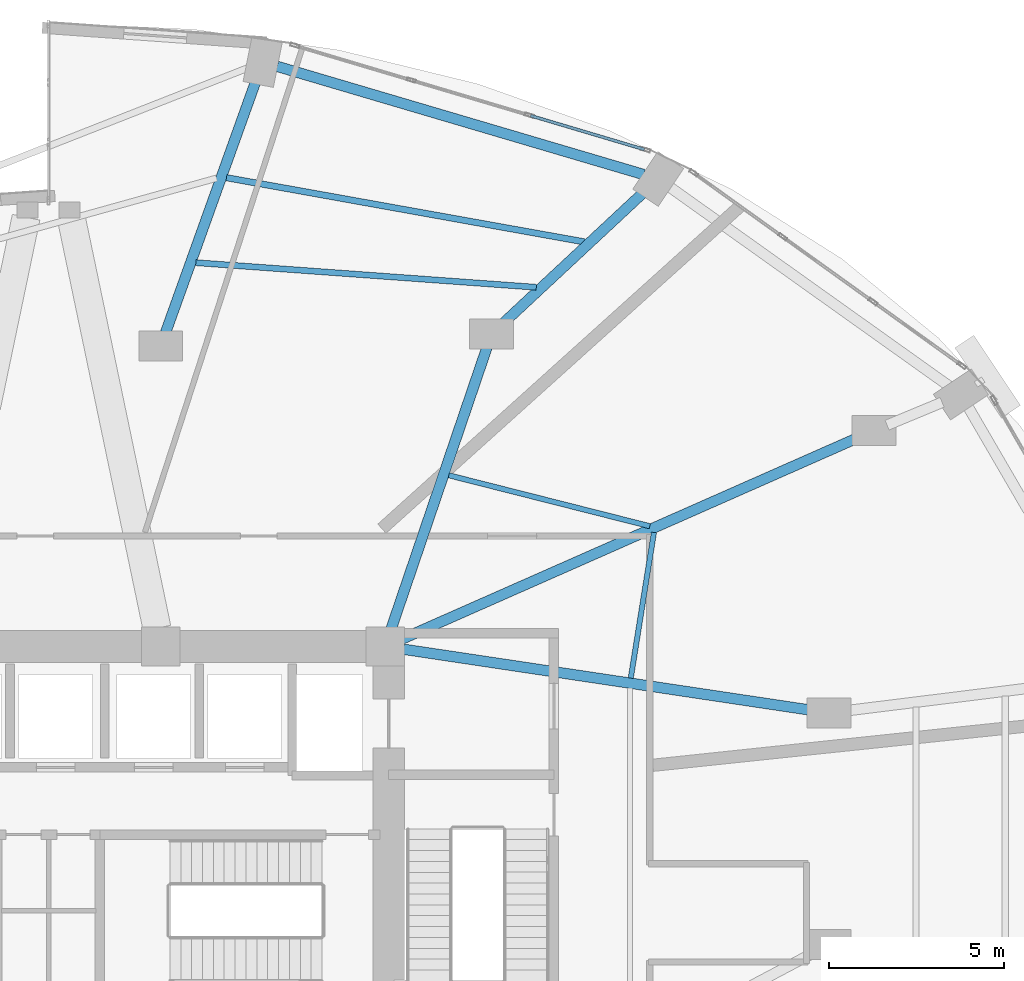
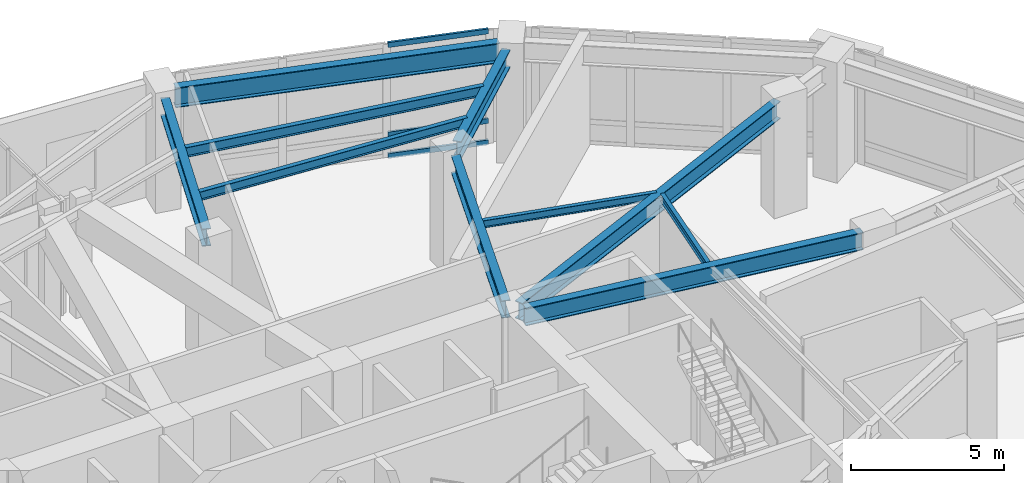
# One storey, part 16 of 24: 10 beams, 3 members, 1 element without a shape of its own.
"""IFC4 building model written with IfcOpenShell, lengths in metres."""

from ifc_helpers import new_model, si_unit, direction, frame, origin, origin_2d, place, context, subcontext, project, spatial, hollow_rectangle, i_section, extrude, material, layer, layer_set, material_profile, profile_set, type_object, element, aggregate, save


model = new_model("IFC4")

# Units and contexts
model_context = context("Model", 3, precision=1e-05, world=origin(), true_north=direction((0.0, 1.0)))
body_context = subcontext(model_context, "Body", "Model", "MODEL_VIEW")
ifc_project = project(units=[si_unit("LENGTHUNIT", "METRE"), si_unit("AREAUNIT", "SQUARE_METRE"), si_unit("VOLUMEUNIT", "CUBIC_METRE"), si_unit("PLANEANGLEUNIT", "RADIAN"), si_unit("MASSUNIT", "GRAM", prefix="KILO")], contexts=[model_context])

# Site, building, storey
site_placement = place(None, origin())
site = spatial("IfcSite", under=ifc_project, at=site_placement, CompositionType="ELEMENT")
building_placement = place(site_placement, origin())
building = spatial("IfcBuilding", under=site, at=building_placement, Name="Lazwardi Medical Tower", CompositionType="ELEMENT")
storey_placement = place(building_placement, frame((0.0, 0.0, 10.800048828125)))
storey = spatial("IfcBuildingStorey", under=building, at=storey_placement, Name="L02", CompositionType="ELEMENT", Elevation=10.800048828125)

# Beams
ifc_material_1 = material(Name="Steel S355", Category="steel")
ifc_material_profile_1 = material_profile(ifc_material_1, i_section(OverallWidth=0.300048828125, OverallDepth=0.800048828125, WebThickness=0.017578125, FlangeThickness=0.032958984375, at=origin_2d()), Name="HEB 800")
ifc_profile_set_1 = profile_set([ifc_material_profile_1], Name="Steel S355")
beam_type_1 = type_object("IfcBeamType", Name="BM-RB-P1", PredefinedType="BEAM", material=ifc_profile_set_1)
beam_1_placement = place(storey_placement, frame((52.976806640625, 49.0634765625, 4.119873046875), z_axis=(-0.959103395471, 0.283055960537, 0.0), x_axis=(-0.283055960537, -0.959103395471, 0.0)))
element("IfcBeam", 1, at=beam_1_placement, inside=storey, type_object=beam_type_1, Name="Ring beam RB-01 B07 L02", PredefinedType="BEAM", context=body_context, shape_type="SweptSolid", body=[
    extrude(i_section(OverallWidth=0.300048828125, OverallDepth=0.800048828125, WebThickness=0.017578125, FlangeThickness=0.032958984375, at=origin_2d()), origin(), (0.0, 0.0, 1.0), 10.904052734375),
])
ifc_material_profile_2 = material_profile(ifc_material_1, i_section(OverallWidth=0.300048828125, OverallDepth=0.699951171875, WebThickness=0.01708984375, FlangeThickness=0.031982421875, at=origin_2d()), Name="HEB 700")
ifc_profile_set_2 = profile_set([ifc_material_profile_2], Name="Steel S355")
beam_type_2 = type_object("IfcBeamType", Name="BM-RG-P1", PredefinedType="BEAM", material=ifc_profile_set_2)
beam_2_placement = place(storey_placement, frame((57.867431640625, 33.76513671875, 4.169921875), z_axis=(-0.988996622553, 0.147938097117, 0.0), x_axis=(-0.147938097117, -0.988996622553, 0.0)))
element("IfcBeam", 2, at=beam_2_placement, inside=storey, type_object=beam_type_2, Name="Radial girder RG-01 R05B L02", PredefinedType="BEAM", context=body_context, shape_type="SweptSolid", body=[
    extrude(i_section(OverallWidth=0.300048828125, OverallDepth=0.699951171875, WebThickness=0.01708984375, FlangeThickness=0.031982421875, at=origin_2d()), origin(), (0.0, 0.0, 1.0), 11.868896484375),
])
beam_3_placement = place(storey_placement, frame((59.18408203125, 41.598388671875, 4.169921875), z_axis=(-0.914785112543, -0.403940834616, 0.0), x_axis=(0.403940834616, -0.914785112543, 0.0)))
element("IfcBeam", 3, at=beam_3_placement, inside=storey, type_object=beam_type_2, Name="Radial girder RG-01 R06B L02", PredefinedType="BEAM", context=body_context, shape_type="SweptSolid", body=[
    extrude(i_section(OverallWidth=0.300048828125, OverallDepth=0.699951171875, WebThickness=0.01708984375, FlangeThickness=0.031982421875, at=origin_2d()), origin(), (0.0, 0.0, 1.0), 14.314453125),
])
beam_4_placement = place(storey_placement, frame((52.965087890625, 48.54638671875, 4.169921875), z_axis=(-0.731566851874, -0.681769712761, 0.0), x_axis=(0.681769712761, -0.731566851874, 0.0)))
element("IfcBeam", 4, at=beam_4_placement, inside=storey, type_object=beam_type_2, Name="Radial girder RG-01 R07A L02", PredefinedType="BEAM", context=body_context, shape_type="SweptSolid", body=[
    extrude(i_section(OverallWidth=0.300048828125, OverallDepth=0.699951171875, WebThickness=0.01708984375, FlangeThickness=0.031982421875, at=origin_2d()), origin(), (0.0, 0.0, 1.0), 5.5205078125),
])
beam_5_placement = place(storey_placement, frame((48.505126953125, 44.13134765625, 4.169921875), z_axis=(-0.322346711858, -0.946621675937, 0.0), x_axis=(0.946621675937, -0.322346711858, 0.0)))
element("IfcBeam", 5, at=beam_5_placement, inside=storey, type_object=beam_type_2, Name="Radial girder RG-01 R07B L02", PredefinedType="BEAM", context=body_context, shape_type="SweptSolid", body=[
    extrude(i_section(OverallWidth=0.300048828125, OverallDepth=0.699951171875, WebThickness=0.01708984375, FlangeThickness=0.031982421875, at=origin_2d()), origin(), (0.0, 0.0, 1.0), 8.477294921875),
])
beam_6_placement = place(storey_placement, frame((41.910400390625, 51.7255859375, 4.169921875), z_axis=(-0.337851658054, -0.941199371627, 0.0), x_axis=(0.941199371627, -0.337851658054, 0.0)))
element("IfcBeam", 6, at=beam_6_placement, inside=storey, type_object=beam_type_2, Name="Radial girder RG-01 R08A L02", PredefinedType="BEAM", context=body_context, shape_type="SweptSolid", body=[
    extrude(i_section(OverallWidth=0.300048828125, OverallDepth=0.699951171875, WebThickness=0.01708984375, FlangeThickness=0.031982421875, at=origin_2d()), origin(), (0.0, 0.0, 1.0), 7.622314453125),
])
ifc_material_profile_3 = material_profile(ifc_material_1, i_section(OverallWidth=0.179931640625, OverallDepth=0.39990234375, WebThickness=0.008544921875, FlangeThickness=0.013427734375, at=origin_2d()), Name="IPE 400")
ifc_profile_set_3 = profile_set([ifc_material_profile_3], Name="Steel S355")
beam_type_3 = type_object("IfcBeamType", Name="BM-SJ-01", PredefinedType="JOIST", material=ifc_profile_set_3)
beam_7_placement = place(storey_placement, frame((51.28759765625, 47.141845703125, 4.320068359375), z_axis=(-0.984289560311, 0.176561778036, 0.0), x_axis=(-0.176561778036, -0.984289560311, 0.0)))
element("IfcBeam", 7, at=beam_7_placement, inside=storey, type_object=beam_type_3, Name="Secondary joist SJ-01 RO1 B07 L02", PredefinedType="JOIST", context=body_context, shape_type="SweptSolid", body=[
    extrude(i_section(OverallWidth=0.179931640625, OverallDepth=0.39990234375, WebThickness=0.008544921875, FlangeThickness=0.013427734375, at=origin_2d()), origin(), (0.0, 0.0, 1.0), 10.376220703125),
])
ifc_material_profile_4 = material_profile(ifc_material_1, i_section(OverallWidth=0.169921875, OverallDepth=0.360107421875, WebThickness=0.008056640625, FlangeThickness=0.0126953125, at=origin_2d()), Name="IPE 360")
ifc_profile_set_4 = profile_set([ifc_material_profile_4], Name="Steel S355")
beam_type_4 = type_object("IfcBeamType", Name="BM-SJ-02", PredefinedType="JOIST", material=ifc_profile_set_4)
beam_8_placement = place(storey_placement, frame((49.91259765625, 45.846923828125, 4.33984375), z_axis=(-0.997391314172, 0.07218425323, 0.0), x_axis=(-0.07218425323, -0.997391314172, 0.0)))
element("IfcBeam", 8, at=beam_8_placement, inside=storey, type_object=beam_type_4, Name="Secondary joist SJ-02 RO2 B07 L02", PredefinedType="JOIST", context=body_context, shape_type="SweptSolid", body=[
    extrude(i_section(OverallWidth=0.169921875, OverallDepth=0.360107421875, WebThickness=0.008056640625, FlangeThickness=0.0126953125, at=origin_2d()), origin(), (0.0, 0.0, 1.0), 9.7373046875),
])
ifc_material_profile_5 = material_profile(ifc_material_1, i_section(OverallWidth=0.14990234375, OverallDepth=0.300048828125, WebThickness=0.007080078125, FlangeThickness=0.0107421875, at=origin_2d()), Name="IPE 300")
ifc_profile_set_5 = profile_set([ifc_material_profile_5], Name="Steel S355")
beam_type_5 = type_object("IfcBeamType", Name="BM-SJ-03", PredefinedType="JOIST", material=ifc_profile_set_5)
beam_9_placement = place(storey_placement, frame((52.60791015625, 34.698486328125, 4.369873046875), z_axis=(0.15709189447, 0.98758398969, 0.0), x_axis=(-0.98758398969, 0.15709189447, 0.0)))
element("IfcBeam", 9, at=beam_9_placement, inside=storey, type_object=beam_type_5, Name="Secondary joist SJ-03 RI1 B05 L02", PredefinedType="JOIST", context=body_context, shape_type="SweptSolid", body=[
    extrude(i_section(OverallWidth=0.14990234375, OverallDepth=0.300048828125, WebThickness=0.007080078125, FlangeThickness=0.0107421875, at=origin_2d()), origin(), (0.0, 0.0, 1.0), 4.20703125),
])
beam_10_placement = place(storey_placement, frame((53.15087890625, 39.031982421875, 4.369873046875), z_axis=(-0.969385296143, 0.245544593957, 0.0), x_axis=(-0.245544593957, -0.969385296143, 0.0)))
element("IfcBeam", 10, at=beam_10_placement, inside=storey, type_object=beam_type_5, Name="Secondary joist SJ-03 RI1 B06 L02", PredefinedType="JOIST", context=body_context, shape_type="SweptSolid", body=[
    extrude(i_section(OverallWidth=0.14990234375, OverallDepth=0.300048828125, WebThickness=0.007080078125, FlangeThickness=0.0107421875, at=origin_2d()), origin(), (0.0, 0.0, 1.0), 5.916015625),
])

# Curtain wall, members
ifc_material_2 = material(Name="Anodised bronze aluminium and solar control glazing", Category="aluminium")
ifc_layer = layer(ifc_material_2, 0.219970703125)
ifc_layer_set = layer_set([ifc_layer], Name="Anodised bronze aluminium and solar control glazing")
curtain_wall_type = type_object("IfcCurtainWallType", Name="CW-SYS-01", PredefinedType="NOTDEFINED", material=ifc_layer_set)
curtain_wall_placement = place(storey_placement, origin())
curtain_wall = element("IfcCurtainWall", 11, at=curtain_wall_placement, inside=storey, type_object=curtain_wall_type, Name="L02 Unitised bronze curtain wall CW-01", PredefinedType="NOTDEFINED")
ifc_material_3 = material(Name="Anodised bronze aluminium", Category="aluminium")
ifc_material_profile_6 = material_profile(ifc_material_3, hollow_rectangle(XDim=0.0849609375, YDim=0.199951171875, WallThickness=0.00439453125, at=origin_2d()), Name="ALU-TRANSOM 200x85x4.5")
ifc_profile_set_6 = profile_set([ifc_material_profile_6], Name="Anodised bronze aluminium")
member_type = type_object("IfcMemberType", Name="CW-TRN-02", PredefinedType="USERDEFINED", material=ifc_profile_set_6)
member_1_placement = place(storey_placement, frame((52.9931640625, 49.778564453125, 0.04248046875), z_axis=(-0.958525157923, 0.285007932572, 0.0), x_axis=(-0.285007932572, -0.958525157923, 0.0)))
member_1 = element("IfcMember", 12, at=member_1_placement, type_object=member_type, Name="CW-01 transom 1.1", ObjectType="TRANSOM", PredefinedType="USERDEFINED", context=body_context, shape_type="SweptSolid", body=[
    extrude(hollow_rectangle(XDim=0.0849609375, YDim=0.199951171875, WallThickness=0.00439453125, at=origin_2d()), origin(), (0.0, 0.0, 1.0), 3.380126953125),
])
member_2_placement = place(storey_placement, frame((52.9931640625, 49.778564453125, 0.89990234375), z_axis=(-0.958525157923, 0.285007932572, 0.0), x_axis=(-0.285007932572, -0.958525157923, 0.0)))
member_2 = element("IfcMember", 13, at=member_2_placement, type_object=member_type, Name="CW-01 transom 1.2", ObjectType="TRANSOM", PredefinedType="USERDEFINED", context=body_context, shape_type="SweptSolid", body=[
    extrude(hollow_rectangle(XDim=0.0849609375, YDim=0.199951171875, WallThickness=0.00439453125, at=origin_2d()), origin(), (0.0, 0.0, 1.0), 3.380126953125),
])
member_3_placement = place(storey_placement, frame((52.9931640625, 49.778564453125, 4.4775390625), z_axis=(-0.958525157923, 0.285007932572, 0.0), x_axis=(-0.285007932572, -0.958525157923, 0.0)))
member_3 = element("IfcMember", 14, at=member_3_placement, type_object=member_type, Name="CW-01 transom 1.3", ObjectType="TRANSOM", PredefinedType="USERDEFINED", context=body_context, shape_type="SweptSolid", body=[
    extrude(hollow_rectangle(XDim=0.0849609375, YDim=0.199951171875, WallThickness=0.00439453125, at=origin_2d()), origin(), (0.0, 0.0, 1.0), 3.380126953125),
])
aggregate(curtain_wall, [member_1, member_2, member_3])

save(model, "model.ifc")
